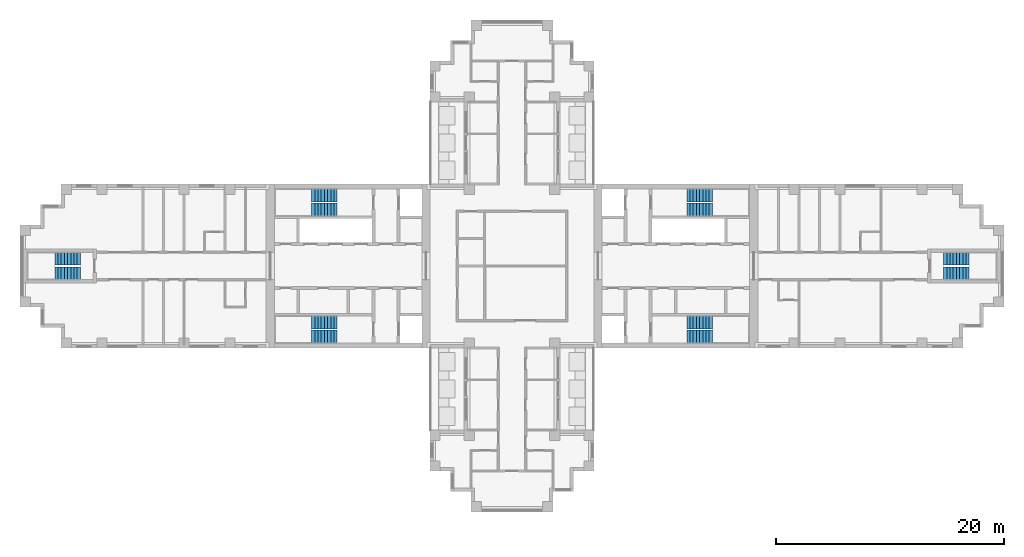
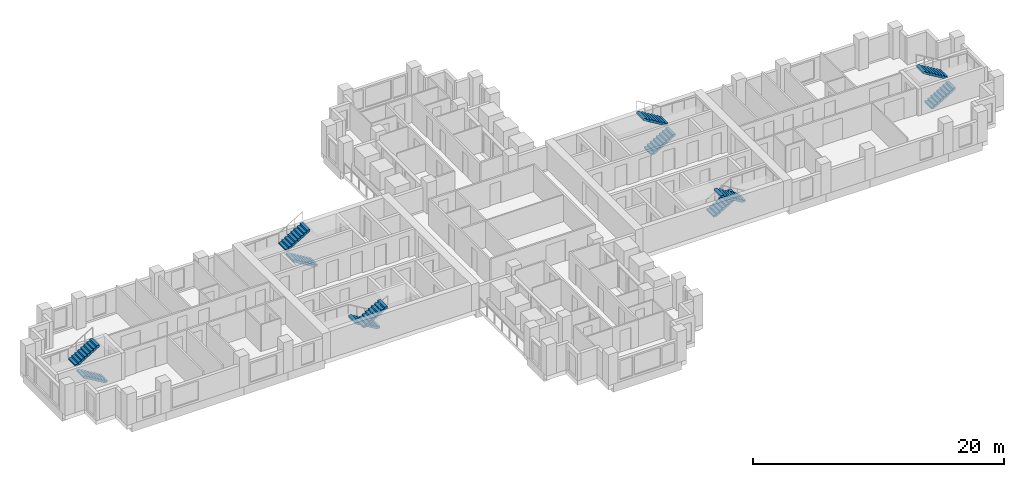
# One storey, part 10 of 12: 12 stair flights, 6 elements without a shape of their own.
"""IFC4 building model written with IfcOpenShell, lengths in metres."""

from ifc_helpers import new_model, si_unit, direction, frame, origin, place, context, subcontext, project, spatial, polyline, outline, extrude, material, type_object, element, aggregate, save


model = new_model("IFC4")

# Units and contexts
model_context = context("Model", 3, precision=1e-05, world=origin(), true_north=direction((0.0, 1.0)))
body_context = subcontext(model_context, "Body", "Model", "MODEL_VIEW")
ifc_project = project(units=[si_unit("LENGTHUNIT", "METRE"), si_unit("AREAUNIT", "SQUARE_METRE"), si_unit("VOLUMEUNIT", "CUBIC_METRE"), si_unit("PLANEANGLEUNIT", "RADIAN"), si_unit("MASSUNIT", "GRAM", prefix="KILO")], contexts=[model_context])

# Site, building, storey
site_placement = place(None, origin())
site = spatial("IfcSite", under=ifc_project, at=site_placement, CompositionType="ELEMENT")
building_placement = place(site_placement, origin())
building = spatial("IfcBuilding", under=site, at=building_placement, Name="Fustian Cross Tower", CompositionType="ELEMENT")
storey_placement = place(building_placement, frame((0.0, 0.0, 150.300048828125)))
storey = spatial("IfcBuildingStorey", under=building, at=storey_placement, Name="L47", CompositionType="ELEMENT", Elevation=150.300048828125)

# Stair, stair flights
ifc_material_1 = material(Name="Concrete C50/60", Category="concrete")
stair_type_1 = type_object("IfcStairType", Name="STAIR 1100 HALF TURN", PredefinedType="HALF_TURN_STAIR", material=ifc_material_1)
stair_1_placement = place(storey_placement, origin())
stair_1 = element("IfcStair", 1, at=stair_1_placement, inside=storey, type_object=stair_type_1, Name="Stair ST8", PredefinedType="HALF_TURN_STAIR")
ifc_material_2 = material(Name="Concrete C50/60", Category="concrete")
stair_flight_type_1 = type_object("IfcStairFlightType", Name="STAIR FLIGHT 1100", PredefinedType="STRAIGHT", material=ifc_material_2)
stair_flight_1_placement = place(storey_placement, frame((37.89990234375, -0.64990234375, 0.0), z_axis=(0.0, 0.0, 1.0), x_axis=(1.0, 0.0, 0.0)))
stair_flight_1 = element("IfcStairFlight", 2, at=stair_flight_1_placement, type_object=stair_flight_type_1, Name="ST8 flight 1", NumberOfRisers=9, NumberOfTreads=8, PredefinedType="STRAIGHT", RiserHeight=0.166666667, TreadLength=0.28, context=body_context, shape_type="SweptSolid", body=[
    extrude(outline(polyline([(0.0, 0.0), (0.0, 0.166748046875), (0.280029296875, 0.166748046875), (0.280029296875, 0.333251953125), (0.56005859375, 0.333251953125), (0.56005859375, 0.5), (0.840087890625, 0.5), (0.840087890625, 0.666748046875), (1.1201171875, 0.666748046875), (1.1201171875, 0.833251953125), (1.39990234375, 0.833251953125), (1.39990234375, 1.0), (1.679931640625, 1.0), (1.679931640625, 1.166748046875), (1.9599609375, 1.166748046875), (1.9599609375, 1.333251953125), (2.239990234375, 1.333251953125), (2.239990234375, 1.5), (2.239990234375, 1.158935546875), (0.29296875, 0.0), (0.0, 0.0)])), frame((0.0, 0.550048828125, 0.0), z_axis=(0.0, -1.0, 0.0), x_axis=(1.0, 0.0, 0.0)), (0.0, 0.0, 1.0), 1.10009765625),
])
stair_flight_2_placement = place(storey_placement, frame((40.139892578125, 0.64990234375, 1.5), z_axis=(0.0, 0.0, 1.0), x_axis=(-1.0, 0.0, 0.0)))
stair_flight_2 = element("IfcStairFlight", 3, at=stair_flight_2_placement, type_object=stair_flight_type_1, Name="ST8 flight 2", NumberOfRisers=9, NumberOfTreads=8, PredefinedType="STRAIGHT", RiserHeight=0.166666667, TreadLength=0.28, context=body_context, shape_type="SweptSolid", body=[
    extrude(outline(polyline([(0.0, 0.0), (0.0, 0.166748046875), (0.280029296875, 0.166748046875), (0.280029296875, 0.333251953125), (0.56005859375, 0.333251953125), (0.56005859375, 0.5), (0.840087890625, 0.5), (0.840087890625, 0.666748046875), (1.1201171875, 0.666748046875), (1.1201171875, 0.833251953125), (1.39990234375, 0.833251953125), (1.39990234375, 1.0), (1.679931640625, 1.0), (1.679931640625, 1.166748046875), (1.9599609375, 1.166748046875), (1.9599609375, 1.333251953125), (2.239990234375, 1.333251953125), (2.239990234375, 1.5), (2.239990234375, 1.158935546875), (0.29296875, 0.0), (0.0, 0.0)])), frame((0.0, 0.550048828125, 0.0), z_axis=(0.0, -1.0, 0.0), x_axis=(1.0, 0.0, 0.0)), (0.0, 0.0, 1.0), 1.10009765625),
])
aggregate(stair_1, [stair_flight_1, stair_flight_2])

stair_2_placement = place(storey_placement, origin())
stair_2 = element("IfcStair", 4, at=stair_2_placement, inside=storey, type_object=stair_type_1, Name="Stair ST9", PredefinedType="HALF_TURN_STAIR")
stair_flight_3_placement = place(storey_placement, frame((-37.89990234375, -0.64990234375, 0.0), z_axis=(0.0, 0.0, 1.0), x_axis=(-1.0, 0.0, 0.0)))
stair_flight_3 = element("IfcStairFlight", 5, at=stair_flight_3_placement, type_object=stair_flight_type_1, Name="ST9 flight 1", NumberOfRisers=9, NumberOfTreads=8, PredefinedType="STRAIGHT", RiserHeight=0.166666667, TreadLength=0.28, context=body_context, shape_type="SweptSolid", body=[
    extrude(outline(polyline([(0.0, 0.0), (0.0, 0.166748046875), (0.280029296875, 0.166748046875), (0.280029296875, 0.333251953125), (0.56005859375, 0.333251953125), (0.56005859375, 0.5), (0.840087890625, 0.5), (0.840087890625, 0.666748046875), (1.1201171875, 0.666748046875), (1.1201171875, 0.833251953125), (1.39990234375, 0.833251953125), (1.39990234375, 1.0), (1.679931640625, 1.0), (1.679931640625, 1.166748046875), (1.9599609375, 1.166748046875), (1.9599609375, 1.333251953125), (2.239990234375, 1.333251953125), (2.239990234375, 1.5), (2.239990234375, 1.158935546875), (0.29296875, 0.0), (0.0, 0.0)])), frame((0.0, 0.550048828125, 0.0), z_axis=(0.0, -1.0, 0.0), x_axis=(1.0, 0.0, 0.0)), (0.0, 0.0, 1.0), 1.10009765625),
])
stair_flight_4_placement = place(storey_placement, frame((-40.139892578125, 0.64990234375, 1.5), z_axis=(0.0, 0.0, 1.0), x_axis=(1.0, 0.0, 0.0)))
stair_flight_4 = element("IfcStairFlight", 6, at=stair_flight_4_placement, type_object=stair_flight_type_1, Name="ST9 flight 2", NumberOfRisers=9, NumberOfTreads=8, PredefinedType="STRAIGHT", RiserHeight=0.166666667, TreadLength=0.28, context=body_context, shape_type="SweptSolid", body=[
    extrude(outline(polyline([(0.0, 0.0), (0.0, 0.166748046875), (0.280029296875, 0.166748046875), (0.280029296875, 0.333251953125), (0.56005859375, 0.333251953125), (0.56005859375, 0.5), (0.840087890625, 0.5), (0.840087890625, 0.666748046875), (1.1201171875, 0.666748046875), (1.1201171875, 0.833251953125), (1.39990234375, 0.833251953125), (1.39990234375, 1.0), (1.679931640625, 1.0), (1.679931640625, 1.166748046875), (1.9599609375, 1.166748046875), (1.9599609375, 1.333251953125), (2.239990234375, 1.333251953125), (2.239990234375, 1.5), (2.239990234375, 1.158935546875), (0.29296875, 0.0), (0.0, 0.0)])), frame((0.0, 0.550048828125, 0.0), z_axis=(0.0, -1.0, 0.0), x_axis=(1.0, 0.0, 0.0)), (0.0, 0.0, 1.0), 1.10009765625),
])
aggregate(stair_2, [stair_flight_3, stair_flight_4])

ifc_material_3 = material(Name="Concrete C50/60", Category="concrete")
stair_type_2 = type_object("IfcStairType", Name="STAIR 1150 HALF TURN", PredefinedType="HALF_TURN_STAIR", material=ifc_material_3)
stair_3_placement = place(storey_placement, origin())
stair_3 = element("IfcStair", 7, at=stair_3_placement, inside=storey, type_object=stair_type_2, Name="Stair ST1", PredefinedType="HALF_TURN_STAIR")
ifc_material_4 = material(Name="Concrete C50/60", Category="concrete")
stair_flight_type_2 = type_object("IfcStairFlightType", Name="STAIR FLIGHT 1150", PredefinedType="STRAIGHT", material=ifc_material_4)
stair_flight_5_placement = place(storey_placement, frame((15.35009765625, 4.97509765625, 0.0), z_axis=(0.0, 0.0, 1.0), x_axis=(1.0, 0.0, 0.0)))
stair_flight_5 = element("IfcStairFlight", 8, at=stair_flight_5_placement, type_object=stair_flight_type_2, Name="ST1 flight 1", NumberOfRisers=9, NumberOfTreads=8, PredefinedType="STRAIGHT", RiserHeight=0.166666667, TreadLength=0.28, context=body_context, shape_type="SweptSolid", body=[
    extrude(outline(polyline([(0.0, 0.0), (0.0, 0.166748046875), (0.280029296875, 0.166748046875), (0.280029296875, 0.333251953125), (0.56005859375, 0.333251953125), (0.56005859375, 0.5), (0.840087890625, 0.5), (0.840087890625, 0.666748046875), (1.1201171875, 0.666748046875), (1.1201171875, 0.833251953125), (1.39990234375, 0.833251953125), (1.39990234375, 1.0), (1.679931640625, 1.0), (1.679931640625, 1.166748046875), (1.9599609375, 1.166748046875), (1.9599609375, 1.333251953125), (2.239990234375, 1.333251953125), (2.239990234375, 1.5), (2.239990234375, 1.158935546875), (0.29296875, 0.0), (0.0, 0.0)])), frame((0.0, 0.574951171875, 0.0), z_axis=(0.0, -1.0, 0.0), x_axis=(1.0, 0.0, 0.0)), (0.0, 0.0, 1.0), 1.14990234375),
])
stair_flight_6_placement = place(storey_placement, frame((17.590087890625, 6.175048828125, 1.5), z_axis=(0.0, 0.0, 1.0), x_axis=(-1.0, 0.0, 0.0)))
stair_flight_6 = element("IfcStairFlight", 9, at=stair_flight_6_placement, type_object=stair_flight_type_2, Name="ST1 flight 2", NumberOfRisers=9, NumberOfTreads=8, PredefinedType="STRAIGHT", RiserHeight=0.166666667, TreadLength=0.28, context=body_context, shape_type="SweptSolid", body=[
    extrude(outline(polyline([(0.0, 0.0), (0.0, 0.166748046875), (0.280029296875, 0.166748046875), (0.280029296875, 0.333251953125), (0.56005859375, 0.333251953125), (0.56005859375, 0.5), (0.840087890625, 0.5), (0.840087890625, 0.666748046875), (1.1201171875, 0.666748046875), (1.1201171875, 0.833251953125), (1.39990234375, 0.833251953125), (1.39990234375, 1.0), (1.679931640625, 1.0), (1.679931640625, 1.166748046875), (1.9599609375, 1.166748046875), (1.9599609375, 1.333251953125), (2.239990234375, 1.333251953125), (2.239990234375, 1.5), (2.239990234375, 1.158935546875), (0.29296875, 0.0), (0.0, 0.0)])), frame((0.0, 0.574951171875, 0.0), z_axis=(0.0, -1.0, 0.0), x_axis=(1.0, 0.0, 0.0)), (0.0, 0.0, 1.0), 1.14990234375),
])
aggregate(stair_3, [stair_flight_5, stair_flight_6])

stair_4_placement = place(storey_placement, origin())
stair_4 = element("IfcStair", 10, at=stair_4_placement, inside=storey, type_object=stair_type_2, Name="Stair ST2", PredefinedType="HALF_TURN_STAIR")
stair_flight_7_placement = place(storey_placement, frame((15.35009765625, -4.97509765625, 0.0), z_axis=(0.0, 0.0, 1.0), x_axis=(1.0, 0.0, 0.0)))
stair_flight_7 = element("IfcStairFlight", 11, at=stair_flight_7_placement, type_object=stair_flight_type_2, Name="ST2 flight 1", NumberOfRisers=9, NumberOfTreads=8, PredefinedType="STRAIGHT", RiserHeight=0.166666667, TreadLength=0.28, context=body_context, shape_type="SweptSolid", body=[
    extrude(outline(polyline([(0.0, 0.0), (0.0, 0.166748046875), (0.280029296875, 0.166748046875), (0.280029296875, 0.333251953125), (0.56005859375, 0.333251953125), (0.56005859375, 0.5), (0.840087890625, 0.5), (0.840087890625, 0.666748046875), (1.1201171875, 0.666748046875), (1.1201171875, 0.833251953125), (1.39990234375, 0.833251953125), (1.39990234375, 1.0), (1.679931640625, 1.0), (1.679931640625, 1.166748046875), (1.9599609375, 1.166748046875), (1.9599609375, 1.333251953125), (2.239990234375, 1.333251953125), (2.239990234375, 1.5), (2.239990234375, 1.158935546875), (0.29296875, 0.0), (0.0, 0.0)])), frame((0.0, 0.574951171875, 0.0), z_axis=(0.0, -1.0, 0.0), x_axis=(1.0, 0.0, 0.0)), (0.0, 0.0, 1.0), 1.14990234375),
])
stair_flight_8_placement = place(storey_placement, frame((17.590087890625, -6.175048828125, 1.5), z_axis=(0.0, 0.0, 1.0), x_axis=(-1.0, 0.0, 0.0)))
stair_flight_8 = element("IfcStairFlight", 12, at=stair_flight_8_placement, type_object=stair_flight_type_2, Name="ST2 flight 2", NumberOfRisers=9, NumberOfTreads=8, PredefinedType="STRAIGHT", RiserHeight=0.166666667, TreadLength=0.28, context=body_context, shape_type="SweptSolid", body=[
    extrude(outline(polyline([(0.0, 0.0), (0.0, 0.166748046875), (0.280029296875, 0.166748046875), (0.280029296875, 0.333251953125), (0.56005859375, 0.333251953125), (0.56005859375, 0.5), (0.840087890625, 0.5), (0.840087890625, 0.666748046875), (1.1201171875, 0.666748046875), (1.1201171875, 0.833251953125), (1.39990234375, 0.833251953125), (1.39990234375, 1.0), (1.679931640625, 1.0), (1.679931640625, 1.166748046875), (1.9599609375, 1.166748046875), (1.9599609375, 1.333251953125), (2.239990234375, 1.333251953125), (2.239990234375, 1.5), (2.239990234375, 1.158935546875), (0.29296875, 0.0), (0.0, 0.0)])), frame((0.0, 0.574951171875, 0.0), z_axis=(0.0, -1.0, 0.0), x_axis=(1.0, 0.0, 0.0)), (0.0, 0.0, 1.0), 1.14990234375),
])
aggregate(stair_4, [stair_flight_7, stair_flight_8])

stair_5_placement = place(storey_placement, origin())
stair_5 = element("IfcStair", 13, at=stair_5_placement, inside=storey, type_object=stair_type_2, Name="Stair ST3", PredefinedType="HALF_TURN_STAIR")
stair_flight_9_placement = place(storey_placement, frame((-15.35009765625, 4.97509765625, 0.0), z_axis=(0.0, 0.0, 1.0), x_axis=(-1.0, 0.0, 0.0)))
stair_flight_9 = element("IfcStairFlight", 14, at=stair_flight_9_placement, type_object=stair_flight_type_2, Name="ST3 flight 1", NumberOfRisers=9, NumberOfTreads=8, PredefinedType="STRAIGHT", RiserHeight=0.166666667, TreadLength=0.28, context=body_context, shape_type="SweptSolid", body=[
    extrude(outline(polyline([(0.0, 0.0), (0.0, 0.166748046875), (0.280029296875, 0.166748046875), (0.280029296875, 0.333251953125), (0.56005859375, 0.333251953125), (0.56005859375, 0.5), (0.840087890625, 0.5), (0.840087890625, 0.666748046875), (1.1201171875, 0.666748046875), (1.1201171875, 0.833251953125), (1.39990234375, 0.833251953125), (1.39990234375, 1.0), (1.679931640625, 1.0), (1.679931640625, 1.166748046875), (1.9599609375, 1.166748046875), (1.9599609375, 1.333251953125), (2.239990234375, 1.333251953125), (2.239990234375, 1.5), (2.239990234375, 1.158935546875), (0.29296875, 0.0), (0.0, 0.0)])), frame((0.0, 0.574951171875, 0.0), z_axis=(0.0, -1.0, 0.0), x_axis=(1.0, 0.0, 0.0)), (0.0, 0.0, 1.0), 1.14990234375),
])
stair_flight_10_placement = place(storey_placement, frame((-17.590087890625, 6.175048828125, 1.5), z_axis=(0.0, 0.0, 1.0), x_axis=(1.0, 0.0, 0.0)))
stair_flight_10 = element("IfcStairFlight", 15, at=stair_flight_10_placement, type_object=stair_flight_type_2, Name="ST3 flight 2", NumberOfRisers=9, NumberOfTreads=8, PredefinedType="STRAIGHT", RiserHeight=0.166666667, TreadLength=0.28, context=body_context, shape_type="SweptSolid", body=[
    extrude(outline(polyline([(0.0, 0.0), (0.0, 0.166748046875), (0.280029296875, 0.166748046875), (0.280029296875, 0.333251953125), (0.56005859375, 0.333251953125), (0.56005859375, 0.5), (0.840087890625, 0.5), (0.840087890625, 0.666748046875), (1.1201171875, 0.666748046875), (1.1201171875, 0.833251953125), (1.39990234375, 0.833251953125), (1.39990234375, 1.0), (1.679931640625, 1.0), (1.679931640625, 1.166748046875), (1.9599609375, 1.166748046875), (1.9599609375, 1.333251953125), (2.239990234375, 1.333251953125), (2.239990234375, 1.5), (2.239990234375, 1.158935546875), (0.29296875, 0.0), (0.0, 0.0)])), frame((0.0, 0.574951171875, 0.0), z_axis=(0.0, -1.0, 0.0), x_axis=(1.0, 0.0, 0.0)), (0.0, 0.0, 1.0), 1.14990234375),
])
aggregate(stair_5, [stair_flight_9, stair_flight_10])

stair_6_placement = place(storey_placement, origin())
stair_6 = element("IfcStair", 16, at=stair_6_placement, inside=storey, type_object=stair_type_2, Name="Stair ST4", PredefinedType="HALF_TURN_STAIR")
stair_flight_11_placement = place(storey_placement, frame((-15.35009765625, -4.97509765625, 0.0), z_axis=(0.0, 0.0, 1.0), x_axis=(-1.0, 0.0, 0.0)))
stair_flight_11 = element("IfcStairFlight", 17, at=stair_flight_11_placement, type_object=stair_flight_type_2, Name="ST4 flight 1", NumberOfRisers=9, NumberOfTreads=8, PredefinedType="STRAIGHT", RiserHeight=0.166666667, TreadLength=0.28, context=body_context, shape_type="SweptSolid", body=[
    extrude(outline(polyline([(0.0, 0.0), (0.0, 0.166748046875), (0.280029296875, 0.166748046875), (0.280029296875, 0.333251953125), (0.56005859375, 0.333251953125), (0.56005859375, 0.5), (0.840087890625, 0.5), (0.840087890625, 0.666748046875), (1.1201171875, 0.666748046875), (1.1201171875, 0.833251953125), (1.39990234375, 0.833251953125), (1.39990234375, 1.0), (1.679931640625, 1.0), (1.679931640625, 1.166748046875), (1.9599609375, 1.166748046875), (1.9599609375, 1.333251953125), (2.239990234375, 1.333251953125), (2.239990234375, 1.5), (2.239990234375, 1.158935546875), (0.29296875, 0.0), (0.0, 0.0)])), frame((0.0, 0.574951171875, 0.0), z_axis=(0.0, -1.0, 0.0), x_axis=(1.0, 0.0, 0.0)), (0.0, 0.0, 1.0), 1.14990234375),
])
stair_flight_12_placement = place(storey_placement, frame((-17.590087890625, -6.175048828125, 1.5), z_axis=(0.0, 0.0, 1.0), x_axis=(1.0, 0.0, 0.0)))
stair_flight_12 = element("IfcStairFlight", 18, at=stair_flight_12_placement, type_object=stair_flight_type_2, Name="ST4 flight 2", NumberOfRisers=9, NumberOfTreads=8, PredefinedType="STRAIGHT", RiserHeight=0.166666667, TreadLength=0.28, context=body_context, shape_type="SweptSolid", body=[
    extrude(outline(polyline([(0.0, 0.0), (0.0, 0.166748046875), (0.280029296875, 0.166748046875), (0.280029296875, 0.333251953125), (0.56005859375, 0.333251953125), (0.56005859375, 0.5), (0.840087890625, 0.5), (0.840087890625, 0.666748046875), (1.1201171875, 0.666748046875), (1.1201171875, 0.833251953125), (1.39990234375, 0.833251953125), (1.39990234375, 1.0), (1.679931640625, 1.0), (1.679931640625, 1.166748046875), (1.9599609375, 1.166748046875), (1.9599609375, 1.333251953125), (2.239990234375, 1.333251953125), (2.239990234375, 1.5), (2.239990234375, 1.158935546875), (0.29296875, 0.0), (0.0, 0.0)])), frame((0.0, 0.574951171875, 0.0), z_axis=(0.0, -1.0, 0.0), x_axis=(1.0, 0.0, 0.0)), (0.0, 0.0, 1.0), 1.14990234375),
])
aggregate(stair_6, [stair_flight_11, stair_flight_12])

save(model, "model.ifc")
